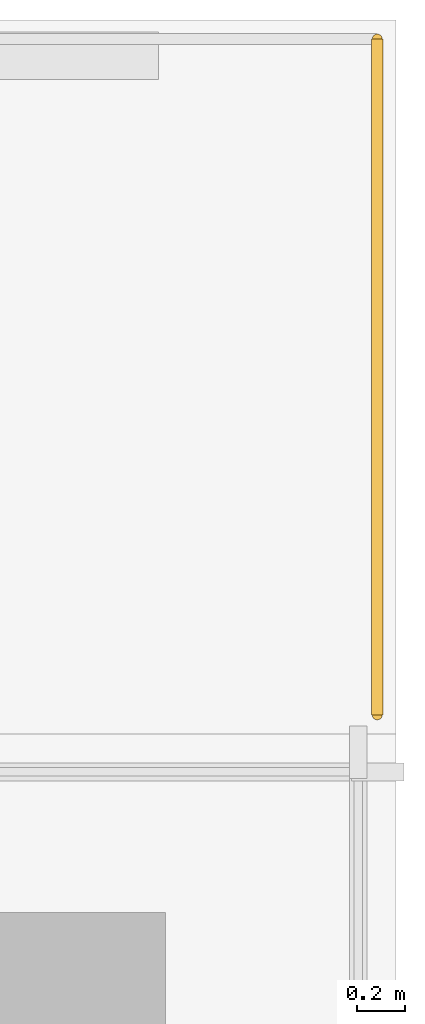
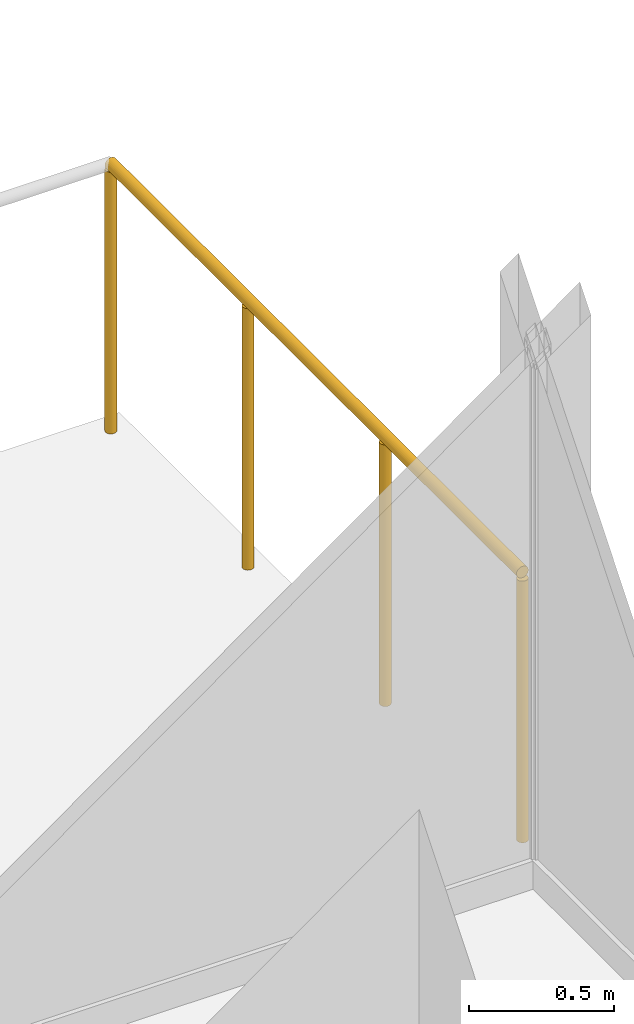
# One storey, part 31 of 31: 1 railing.
"""IFC4 building model written with IfcOpenShell, lengths in metres."""

import ifcopenshell
import ifcopenshell.guid

model = None  # the IFC model being written
_history = None  # IfcOwnerHistory: only IFC2X3 demands one
_inside = {}  # id of a spatial element -> (the spatial element, [elements in it])
_under = {}  # id of a project, library or spatial element -> (it, [spatial elements below it])
_declared = {}  # id of a project -> (the project, [libraries it declares])
_typed = {}  # id of a type object -> (the type object, [elements of that type])
_made_of = {}  # id of a material, layer set ... -> (it, [elements and type objects made of it])


def new_model(schema):
    """Start an empty IFC model of exactly this schema.

    Asked for "IFC4X3", IfcOpenShell would pick the latest addendum, in which some entities
    have other attributes; the version numbers below select the first issue.
    IFC2X3 requires an IfcOwnerHistory on every rooted entity: one is made here for all.
    """
    global model, _history
    if schema == "IFC4X3":
        model = ifcopenshell.file(schema_version=(4, 3, 0, 0))
    else:
        model = ifcopenshell.file(schema=schema)
    _inside.clear()
    _under.clear()
    _declared.clear()
    _typed.clear()
    _made_of.clear()
    _history = None
    if model.schema == "IFC2X3":
        org = make("IfcOrganization", Name="unknown")
        user = make(
            "IfcPersonAndOrganization",
            ThePerson=make("IfcPerson", FamilyName="unknown"),
            TheOrganization=org,
        )
        app = make(
            "IfcApplication",
            ApplicationDeveloper=org,
            Version="unknown",
            ApplicationFullName="unknown",
            ApplicationIdentifier="unknown",
        )
        _history = make(
            "IfcOwnerHistory",
            OwningUser=user,
            OwningApplication=app,
            ChangeAction="ADDED",
            CreationDate=0,
        )
    return model


def make(cls, **values):
    """One entity of the class cls with the attributes given. An attribute that is None is left unset."""
    return model.create_entity(
        cls, **{name: value for name, value in values.items() if value is not None}
    )


def rooted(cls, **values):
    """An entity with a GlobalId (a new one), such as an element, a storey or a relation."""
    return make(cls, GlobalId=ifcopenshell.guid.new(), OwnerHistory=_history, **values)


def si_unit(unit_type, name, prefix=None):
    """IfcSIUnit, for example si_unit("LENGTHUNIT", "METRE", prefix="MILLI")."""
    return make("IfcSIUnit", UnitType=unit_type, Prefix=prefix, Name=name)


def derived_unit(unit_type, elements):
    """IfcDerivedUnit: a product of units, each with its exponent."""
    return make(
        "IfcDerivedUnit",
        Elements=[
            make("IfcDerivedUnitElement", Unit=unit, Exponent=power)
            for unit, power in elements
        ],
        UnitType=unit_type,
    )


def assignment(units):
    """IfcUnitAssignment: the units of a project."""
    return None if units is None else make("IfcUnitAssignment", Units=units)


def point(xyz):
    """IfcCartesianPoint."""
    return None if xyz is None else make("IfcCartesianPoint", Coordinates=xyz)


def direction(xyz):
    """IfcDirection."""
    return None if xyz is None else make("IfcDirection", DirectionRatios=xyz)


def frame(location, z_axis=None, x_axis=None):
    """IfcAxis2Placement3D, a coordinate frame: its origin and axes. An axis left out is left unset."""
    return make(
        "IfcAxis2Placement3D",
        Location=point(location),
        Axis=direction(z_axis),
        RefDirection=direction(x_axis),
    )


def frame_2d(location, x_axis=None):
    """IfcAxis2Placement2D, a coordinate frame in the plane: its origin and x axis."""
    return make(
        "IfcAxis2Placement2D", Location=point(location), RefDirection=direction(x_axis)
    )


def origin():
    """The frame at (0, 0, 0) with its axes left unset."""
    return frame((0.0, 0.0, 0.0))


def origin_2d():
    """The frame at (0, 0) in the plane with its x axis left unset."""
    return frame_2d((0.0, 0.0))


def place(relative_to, where):
    """IfcLocalPlacement: puts the frame where relative to a parent placement (None: the world)."""
    return make(
        "IfcLocalPlacement", PlacementRelTo=relative_to, RelativePlacement=where
    )


def context(
    kind, dimensions, precision=None, world=None, true_north=None, identifier=None
):
    """IfcGeometricRepresentationContext, for example the 3D "Model" context."""
    return make(
        "IfcGeometricRepresentationContext",
        ContextIdentifier=identifier,
        ContextType=kind,
        CoordinateSpaceDimension=dimensions,
        Precision=precision,
        WorldCoordinateSystem=world,
        TrueNorth=true_north,
    )


def subcontext(parent, identifier, kind, view, scale=None):
    """IfcGeometricRepresentationSubContext, for example "Body" below "Model"."""
    return make(
        "IfcGeometricRepresentationSubContext",
        ContextIdentifier=identifier,
        ContextType=kind,
        ParentContext=parent,
        TargetScale=scale,
        TargetView=view,
    )


def project(units=None, contexts=None):
    """IfcProject with its units and contexts."""
    return rooted(
        "IfcProject",
        Name="project",
        RepresentationContexts=contexts,
        UnitsInContext=assignment(units),
    )


def spatial(cls, under=None, at=None, **own):
    """A site, building, storey or space (cls), placed at a placement, below another one or the project."""
    s = rooted(cls, ObjectPlacement=at, **own)
    if under is not None:
        _under.setdefault(under.id(), (under, []))[1].append(s)
    return s


def profile(cls, at=None, kind="AREA", **sizes):
    """A parametric profile (cls). Its sizes go by their IFC names, for example OverallWidth=200.0."""
    return make(cls, ProfileType=kind, Position=at, **sizes)


def circle(**sizes):
    """IfcCircleProfileDef."""
    return profile("IfcCircleProfileDef", **sizes)


def extrude(swept, where, along, depth):
    """IfcExtrudedAreaSolid: the profile swept, set in the frame where, extruded along a direction by depth."""
    return make(
        "IfcExtrudedAreaSolid",
        SweptArea=swept,
        Position=where,
        ExtrudedDirection=direction(along),
        Depth=depth,
    )


def shape(context_of_items, identifier, shape_type, items):
    """IfcShapeRepresentation: the items that make up one representation, for example the "Body"."""
    return make(
        "IfcShapeRepresentation",
        ContextOfItems=context_of_items,
        RepresentationIdentifier=identifier,
        RepresentationType=shape_type,
        Items=items,
    )


def material(Name=None, Category=None):
    """IfcMaterial."""
    return make("IfcMaterial", Name=Name, Category=Category)


def made_of(thing, what):
    """Note that an element or type object is made of a material, layer set ...; save() writes the relation."""
    if what is not None:
        _made_of.setdefault(what.id(), (what, []))[1].append(thing)
    return thing


def type_object(cls, material=None, **own):
    """A type object (cls), such as IfcWallType, which elements share."""
    return made_of(rooted(cls, **own), material)


def element(
    cls,
    number,
    at=None,
    inside=None,
    cuts=None,
    type_object=None,
    material=None,
    context=None,
    identifier="Body",
    shape_type=None,
    held_by="IfcProductDefinitionShape",
    body=None,
    shapes=None,
    **own,
):
    """One element of the class cls, such as IfcWall. Its Tag is "e" and its number.

    at: its placement. inside: the storey or other place that contains it. cuts: it is an
    opening in that element (IfcRelVoidsElement). A single representation is given by context,
    identifier, shape_type and body (its items); several are given by shapes. held_by: the class
    of the entity that holds the representations. save() writes the other relations.
    """
    e = rooted(cls, Tag="e%d" % number, ObjectPlacement=at, **own)
    if body is not None:
        shapes = [shape(context, identifier, shape_type, body)]
    if shapes is not None:
        e.Representation = make(held_by, Representations=shapes)
    if inside is not None:
        _inside.setdefault(inside.id(), (inside, []))[1].append(e)
    if cuts is not None:
        rooted(
            "IfcRelVoidsElement", RelatingBuildingElement=cuts, RelatedOpeningElement=e
        )
    if type_object is not None:
        _typed.setdefault(type_object.id(), (type_object, []))[1].append(e)
    return made_of(e, material)


def aggregate(whole, parts):
    """IfcRelAggregates: a whole, such as a stair, and the parts it consists of."""
    return rooted("IfcRelAggregates", RelatingObject=whole, RelatedObjects=parts)


def save(model, path):
    """Write the relations noted so far, then the file.

    IfcRelAggregates (storeys below a building ...), IfcRelContainedInSpatialStructure (elements
    in a storey), IfcRelDefinesByType, IfcRelAssociatesMaterial and IfcRelDeclares: one each for
    every whole, place, type object, material and project.
    """
    for whole, parts in _under.values():
        aggregate(whole, parts)
    for where, things in _inside.values():
        rooted(
            "IfcRelContainedInSpatialStructure",
            RelatedElements=things,
            RelatingStructure=where,
        )
    for kind, things in _typed.values():
        rooted("IfcRelDefinesByType", RelatedObjects=things, RelatingType=kind)
    for what, things in _made_of.values():
        rooted("IfcRelAssociatesMaterial", RelatedObjects=things, RelatingMaterial=what)
    for by, libraries in _declared.values():
        rooted("IfcRelDeclares", RelatingContext=by, RelatedDefinitions=libraries)
    model.write(path)


model = new_model("IFC4")

# Units and contexts
model_context = context("Model", 3, precision=1e-05, world=origin(), true_north=direction((0.0, 1.0)))
body_context = subcontext(model_context, "Body", "Model", "MODEL_VIEW")
ifc_project = project(units=[si_unit("LENGTHUNIT", "METRE"), si_unit("AREAUNIT", "SQUARE_METRE"), si_unit("VOLUMEUNIT", "CUBIC_METRE"), si_unit("PLANEANGLEUNIT", "RADIAN"), si_unit("MASSUNIT", "GRAM", prefix="KILO"), derived_unit("THERMALTRANSMITTANCEUNIT", [(si_unit("POWERUNIT", "WATT"), 1), (si_unit("LENGTHUNIT", "METRE"), -2), (si_unit("THERMODYNAMICTEMPERATUREUNIT", "KELVIN"), -1)])], contexts=[model_context])

# Site, building, storey
site_placement = place(None, origin())
site = spatial("IfcSite", under=ifc_project, at=site_placement, CompositionType="ELEMENT")
building_placement = place(site_placement, origin())
building = spatial("IfcBuilding", under=site, at=building_placement, Name="Kivonza Crest Hotel", CompositionType="ELEMENT")
storey_placement = place(building_placement, frame((0.0, 0.0, 15.0)))
storey = spatial("IfcBuildingStorey", under=building, at=storey_placement, Name="L03", CompositionType="ELEMENT", Elevation=15.0)

# Railing
ifc_material = material(Name="Laminated glass and stainless steel balustrade", Category="steel")
railing_type = type_object("IfcRailingType", Name="RL-TERR-1150", PredefinedType="BALUSTRADE", material=ifc_material)
railing_placement = place(storey_placement, frame((95.840087890625, 46.919921875, 0.0)))
element("IfcRailing", 1, at=railing_placement, inside=storey, type_object=railing_type, Name="L03 POD-L03-T2 perimeter safety balustrade 3", PredefinedType="BALUSTRADE", context=body_context, shape_type="SweptSolid", body=[
    extrude(circle(Radius=0.02392578125, at=origin_2d()), frame((0.0, 0.0, 1.1259765625), z_axis=(0.0, -1.0, 0.0), x_axis=(1.0, 0.0, 0.0)), (0.0, 0.0, 1.0), 2.83984375),
    extrude(circle(Radius=0.02099609375, at=origin_2d()), origin(), (0.0, 0.0, 1.0), 1.101806640625),
    extrude(circle(Radius=0.02099609375, at=origin_2d()), frame((0.0, -0.946533203125, 0.0)), (0.0, 0.0, 1.0), 1.101806640625),
    extrude(circle(Radius=0.02099609375, at=origin_2d()), frame((0.0, -1.893310546875, 0.0)), (0.0, 0.0, 1.0), 1.101806640625),
    extrude(circle(Radius=0.02099609375, at=origin_2d()), frame((0.0, -2.83984375, 0.0)), (0.0, 0.0, 1.0), 1.101806640625),
])

save(model, "model.ifc")
